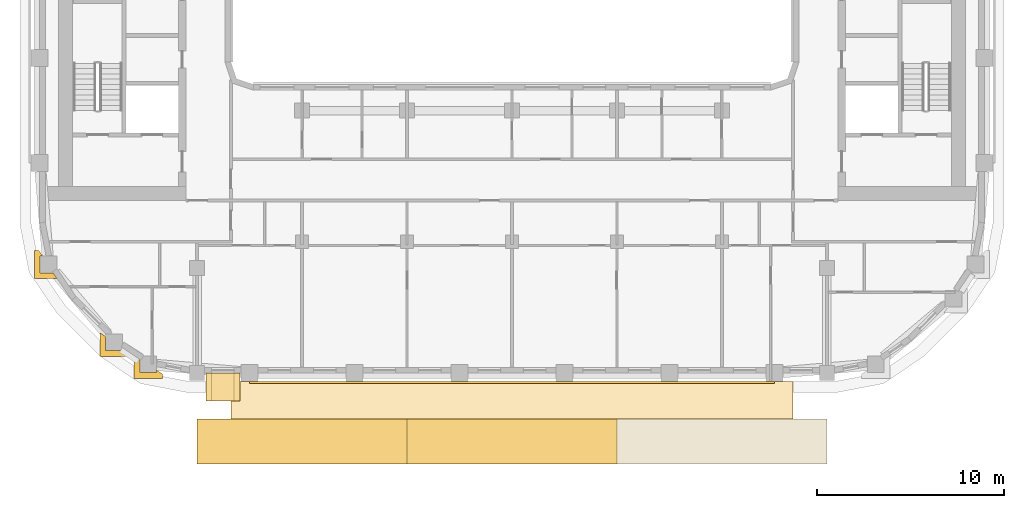
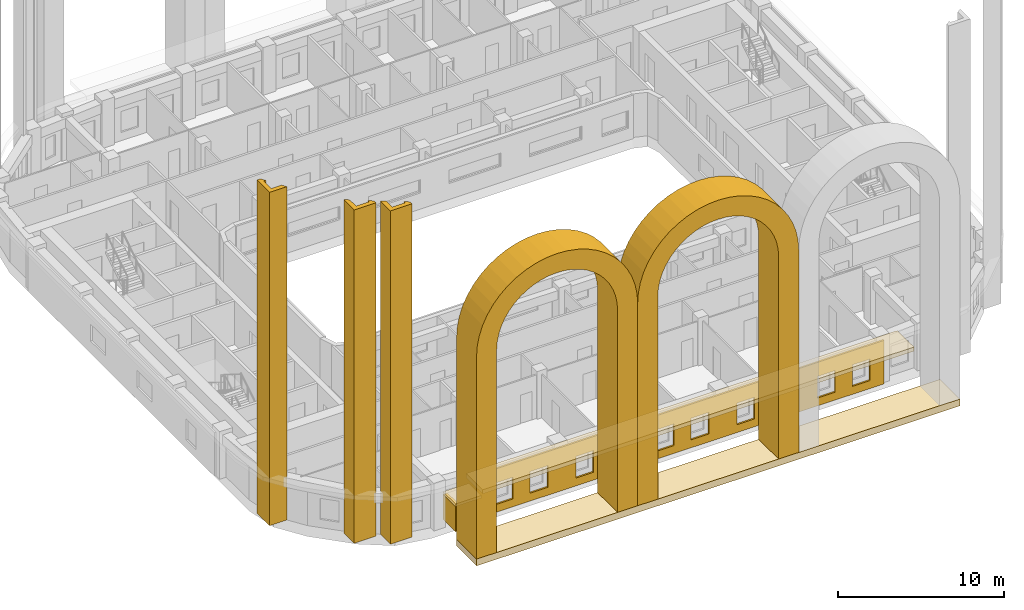
# One storey, part 11 of 20: 10 coverings.
"""IFC4 building model written with IfcOpenShell, lengths in metres."""

from ifc_helpers import new_model, si_unit, direction, frame, origin, origin_2d, place, context, subcontext, project, spatial, polyline, rectangle, outline, extrude, material, layer, layer_set, type_object, element, save


model = new_model("IFC4")

# Units and contexts
model_context = context("Model", 3, precision=1e-05, world=origin(), true_north=direction((0.0, 1.0)))
body_context = subcontext(model_context, "Body", "Model", "MODEL_VIEW")
ifc_project = project(units=[si_unit("LENGTHUNIT", "METRE"), si_unit("AREAUNIT", "SQUARE_METRE"), si_unit("VOLUMEUNIT", "CUBIC_METRE"), si_unit("PLANEANGLEUNIT", "RADIAN"), si_unit("MASSUNIT", "GRAM", prefix="KILO")], contexts=[model_context])

# Site, building, storey
site_placement = place(None, origin())
site = spatial("IfcSite", under=ifc_project, at=site_placement, CompositionType="ELEMENT")
building_placement = place(site_placement, origin())
building = spatial("IfcBuilding", under=site, at=building_placement, Name="Kiln Ring Residences", CompositionType="ELEMENT")
storey_placement = place(building_placement, frame((0.0, 0.0, 188.89990234375)))
storey = spatial("IfcBuildingStorey", under=building, at=storey_placement, Name="L48", CompositionType="ELEMENT", Elevation=188.89990234375)

# Coverings
ifc_material_1 = material(Name="Brick masonry, dark clay brick", Category="masonry")
ifc_layer_1 = layer(ifc_material_1, 0.5)
ifc_layer_set_1 = layer_set([ifc_layer_1], Name="ARCADE PLINTH 500")
covering_type_1 = type_object("IfcCoveringType", Name="ARCADE PLINTH 500", PredefinedType="CLADDING", material=ifc_layer_set_1)
placement = place(storey_placement, origin())
element("IfcCovering", 1, at=placement, inside=storey, type_object=covering_type_1, Name="ARCADE PLINTH Z4 S", PredefinedType="CLADDING", context=body_context, shape_type="SweptSolid", body=[
    extrude(outline(polyline([(-16.800048828125, -27.25), (16.800048828125, -27.25), (16.800048828125, -24.85009765625), (-16.800048828125, -24.85009765625), (-16.800048828125, -27.25)])), origin(), (0.0, 0.0, 1.0), 0.5),
])
ifc_material_2 = material(Name="Brick masonry, dark clay brick", Category="masonry")
ifc_layer_2 = layer(ifc_material_2, 1.39990234375)
ifc_layer_set_2 = layer_set([ifc_layer_2], Name="ARCH SURROUND 2400")
covering_type_2 = type_object("IfcCoveringType", Name="ARCH SURROUND 2400", PredefinedType="CLADDING", material=ifc_layer_set_2)
covering_2_placement = place(storey_placement, frame((-5.60009765625, -26.050048828125, 0.5), z_axis=(0.0, 0.0, 1.0), x_axis=(-1.0, 0.0, 0.0)))
element("IfcCovering", 2, at=covering_2_placement, inside=storey, type_object=covering_type_2, Name="ARCH SURROUND Z4 S1.1", PredefinedType="CLADDING", context=body_context, shape_type="SweptSolid", body=[
    extrude(outline(polyline([(11.199951171875, 0.0), (11.199951171875, 14.900146484375), (11.152099609375, 15.631103515625), (11.00927734375, 16.349609375), (10.773681640625, 17.043212890625), (10.44970703125, 17.7001953125), (10.042724609375, 18.30908203125), (9.559814453125, 18.85986328125), (9.009033203125, 19.343017578125), (8.39990234375, 19.749755859375), (7.742919921875, 20.07373046875), (7.04931640625, 20.309326171875), (6.330810546875, 20.4521484375), (5.60009765625, 20.5), (4.869140625, 20.4521484375), (4.150634765625, 20.309326171875), (3.45703125, 20.07373046875), (2.800048828125, 19.749755859375), (2.19091796875, 19.343017578125), (1.64013671875, 18.85986328125), (1.1572265625, 18.30908203125), (0.750244140625, 17.7001953125), (0.42626953125, 17.043212890625), (0.19091796875, 16.349609375), (0.0478515625, 15.631103515625), (0.0, 14.900146484375), (0.0, 0.0), (1.39990234375, 0.0), (1.39990234375, 14.900146484375), (1.435791015625, 15.4482421875), (1.543212890625, 15.987060546875), (1.7197265625, 16.50732421875), (1.962646484375, 17.0), (2.267822265625, 17.456787109375), (2.630126953125, 17.869873046875), (3.043212890625, 18.232177734375), (3.5, 18.537353515625), (3.99267578125, 18.780517578125), (4.512939453125, 18.95703125), (5.0517578125, 19.064208984375), (5.60009765625, 19.10009765625), (6.148193359375, 19.064208984375), (6.68701171875, 18.95703125), (7.207275390625, 18.780517578125), (7.699951171875, 18.537353515625), (8.15673828125, 18.232177734375), (8.56982421875, 17.869873046875), (8.93212890625, 17.456787109375), (9.2373046875, 17.0), (9.480224609375, 16.50732421875), (9.656982421875, 15.987060546875), (9.76416015625, 15.4482421875), (9.800048828125, 14.900146484375), (9.800048828125, 0.0), (11.199951171875, 0.0)])), frame((0.0, 1.199951171875, 0.0), z_axis=(0.0, -1.0, 0.0), x_axis=(1.0, 0.0, 0.0)), (0.0, 0.0, 1.0), 2.39990234375),
])
covering_3_placement = place(storey_placement, frame((5.60009765625, -26.050048828125, 0.5), z_axis=(0.0, 0.0, 1.0), x_axis=(-1.0, 0.0, 0.0)))
element("IfcCovering", 3, at=covering_3_placement, inside=storey, type_object=covering_type_2, Name="ARCH SURROUND Z4 S1.2", PredefinedType="CLADDING", context=body_context, shape_type="SweptSolid", body=[
    extrude(outline(polyline([(11.199951171875, 0.0), (11.199951171875, 14.900146484375), (11.152099609375, 15.631103515625), (11.00927734375, 16.349609375), (10.773681640625, 17.043212890625), (10.44970703125, 17.7001953125), (10.042724609375, 18.30908203125), (9.559814453125, 18.85986328125), (9.009033203125, 19.343017578125), (8.39990234375, 19.749755859375), (7.742919921875, 20.07373046875), (7.04931640625, 20.309326171875), (6.330810546875, 20.4521484375), (5.60009765625, 20.5), (4.869140625, 20.4521484375), (4.150634765625, 20.309326171875), (3.45703125, 20.07373046875), (2.800048828125, 19.749755859375), (2.19091796875, 19.343017578125), (1.64013671875, 18.85986328125), (1.1572265625, 18.30908203125), (0.750244140625, 17.7001953125), (0.42626953125, 17.043212890625), (0.19091796875, 16.349609375), (0.0478515625, 15.631103515625), (0.0, 14.900146484375), (0.0, 0.0), (1.39990234375, 0.0), (1.39990234375, 14.900146484375), (1.435791015625, 15.4482421875), (1.543212890625, 15.987060546875), (1.7197265625, 16.50732421875), (1.962646484375, 17.0), (2.267822265625, 17.456787109375), (2.630126953125, 17.869873046875), (3.043212890625, 18.232177734375), (3.5, 18.537353515625), (3.99267578125, 18.780517578125), (4.512939453125, 18.95703125), (5.0517578125, 19.064208984375), (5.60009765625, 19.10009765625), (6.148193359375, 19.064208984375), (6.68701171875, 18.95703125), (7.207275390625, 18.780517578125), (7.699951171875, 18.537353515625), (8.15673828125, 18.232177734375), (8.56982421875, 17.869873046875), (8.93212890625, 17.456787109375), (9.2373046875, 17.0), (9.480224609375, 16.50732421875), (9.656982421875, 15.987060546875), (9.76416015625, 15.4482421875), (9.800048828125, 14.900146484375), (9.800048828125, 0.0), (11.199951171875, 0.0)])), frame((0.0, 1.199951171875, 0.0), z_axis=(0.0, -1.0, 0.0), x_axis=(1.0, 0.0, 0.0)), (0.0, 0.0, 1.0), 2.39990234375),
])
ifc_material_3 = material(Name="Brick masonry, dark clay brick", Category="masonry")
ifc_layer_3 = layer(ifc_material_3, 0.300048828125)
ifc_layer_set_3 = layer_set([ifc_layer_3], Name="FRAME CHEEKS AND SILL 1500")
covering_type_3 = type_object("IfcCoveringType", Name="FRAME CHEEKS AND SILL 1500", PredefinedType="CLADDING", material=ifc_layer_set_3)
covering_4_placement = place(storey_placement, frame((-16.324951171875, -23.14990234375, 0.300048828125), z_axis=(0.0, 0.0, 1.0), x_axis=(1.0, 0.0, 0.0)))
element("IfcCovering", 4, at=covering_4_placement, inside=storey, type_object=covering_type_3, Name="FRAME L48", PredefinedType="CLADDING", context=body_context, shape_type="SweptSolid", body=[
    extrude(outline(polyline([(0.0, 0.0), (1.800048828125, 0.0), (1.800048828125, 1.85009765625), (1.5009765625, 1.85009765625), (1.5, 0.300048828125), (0.300048828125, 0.300048828125), (0.299072265625, 1.85009765625), (0.0, 1.85009765625), (0.0, 0.0)])), frame((0.0, 0.75, 0.0), z_axis=(0.0, -1.0, 0.0), x_axis=(1.0, 0.0, 0.0)), (0.0, 0.0, 1.0), 1.5),
])
ifc_material_4 = material(Name="Brick masonry, dark clay brick", Category="masonry")
ifc_layer_4 = layer(ifc_material_4, 0.199951171875)
ifc_layer_set_4 = layer_set([ifc_layer_4], Name="FRAME HEAD 1500")
covering_type_4 = type_object("IfcCoveringType", Name="FRAME HEAD 1500", PredefinedType="CLADDING", material=ifc_layer_set_4)
covering_5_placement = place(storey_placement, frame((-15.425048828125, -23.14990234375, 2.14990234375), z_axis=(0.0, 0.0, 1.0), x_axis=(1.0, 0.0, 0.0)))
element("IfcCovering", 5, at=covering_5_placement, inside=storey, type_object=covering_type_4, Name="FRAME HEAD L48", PredefinedType="CLADDING", context=body_context, shape_type="SweptSolid", body=[
    extrude(rectangle(XDim=1.800048828125, YDim=1.5, at=origin_2d()), origin(), (0.0, 0.0, 1.0), 0.199951171875),
])
ifc_material_5 = material(Name="Brick masonry, dark clay brick", Category="masonry")
ifc_layer_5 = layer(ifc_material_5, 0.300048828125)
ifc_layer_set_5 = layer_set([ifc_layer_5], Name="PIER CLADDING 300")
covering_type_5 = type_object("IfcCoveringType", Name="PIER CLADDING 300", PredefinedType="CLADDING", material=ifc_layer_set_5)
element("IfcCovering", 6, at=placement, inside=storey, type_object=covering_type_5, Name="PIER CLADDING L48-L54", PredefinedType="CLADDING", context=body_context, shape_type="SweptSolid", body=[
    extrude(outline(polyline([(-19.858642578125, -22.38818359375), (-19.858642578125, -21.680419921875), (-20.15869140625, -21.4765625), (-20.15869140625, -22.68798828125), (-18.65869140625, -22.68798828125), (-18.65869140625, -22.44775390625), (-18.958740234375, -22.243896484375), (-18.958740234375, -22.38818359375), (-19.858642578125, -22.38818359375)])), origin(), (0.0, 0.0, 1.0), 24.5),
])
element("IfcCovering", 7, at=placement, inside=storey, type_object=covering_type_5, Name="PIER CLADDING L48-L54", PredefinedType="CLADDING", context=body_context, shape_type="SweptSolid", body=[
    extrude(outline(polyline([(-25.247802734375, -15.858642578125), (-25.488037109375, -15.858642578125), (-25.488037109375, -17.358642578125), (-24.276611328125, -17.358642578125), (-24.48046875, -17.05859375), (-25.18798828125, -17.05859375), (-25.18798828125, -16.15869140625), (-25.0439453125, -16.15869140625), (-25.247802734375, -15.858642578125)])), origin(), (0.0, 0.0, 1.0), 24.5),
])
element("IfcCovering", 8, at=placement, inside=storey, type_object=covering_type_5, Name="PIER CLADDING L48-L54", PredefinedType="CLADDING", context=body_context, shape_type="SweptSolid", body=[
    extrude(outline(polyline([(-21.690185546875, -20.4541015625), (-21.990234375, -20.25), (-21.990234375, -21.509765625), (-20.490234375, -21.509765625), (-20.490234375, -21.26953125), (-20.790283203125, -21.065673828125), (-20.790283203125, -21.209716796875), (-21.690185546875, -21.209716796875), (-21.690185546875, -20.4541015625)])), origin(), (0.0, 0.0, 1.0), 24.5),
])
ifc_material_6 = material(Name="Brick masonry, dark clay brick", Category="masonry")
ifc_layer_6 = layer(ifc_material_6, 0.1201171875)
ifc_layer_set_6 = layer_set([ifc_layer_6], Name="RAINSCREEN PANEL 120")
covering_type_6 = type_object("IfcCoveringType", Name="RAINSCREEN PANEL 120", PredefinedType="CLADDING", material=ifc_layer_set_6)
covering_9_placement = place(storey_placement, frame((-14.0, -22.909912109375, 0.0), z_axis=(0.0, 0.0, 1.0), x_axis=(1.0, 0.0, 0.0)))
element("IfcCovering", 9, at=covering_9_placement, inside=storey, type_object=covering_type_6, Name="RAINSCREEN L48", PredefinedType="CLADDING", context=body_context, shape_type="SweptSolid", body=[
    extrude(outline(polyline([(0.0, 0.0), (28.0, 0.0), (28.0, 3.2001953125), (0.0, 3.2001953125), (0.0, 0.0)]), holes=[polyline([(0.967529296875, 0.580078125), (2.20751953125, 0.580078125), (2.20751953125, 2.170166015625), (0.967529296875, 2.170166015625), (0.967529296875, 0.580078125)]), polyline([(3.392578125, 0.580078125), (4.632568359375, 0.580078125), (4.632568359375, 2.170166015625), (3.392578125, 2.170166015625), (3.392578125, 0.580078125)]), polyline([(6.5673828125, 0.580078125), (7.8076171875, 0.580078125), (7.8076171875, 2.170166015625), (6.5673828125, 2.170166015625), (6.5673828125, 0.580078125)]), polyline([(8.992431640625, 2.170166015625), (8.992431640625, 0.580078125), (10.232421875, 0.580078125), (10.232421875, 2.170166015625), (8.992431640625, 2.170166015625)]), polyline([(12.16748046875, 2.170166015625), (12.16748046875, 0.580078125), (13.407470703125, 0.580078125), (13.407470703125, 2.170166015625), (12.16748046875, 2.170166015625)]), polyline([(14.592529296875, 0.580078125), (15.83251953125, 0.580078125), (15.83251953125, 2.170166015625), (14.592529296875, 2.170166015625), (14.592529296875, 0.580078125)]), polyline([(17.767578125, 0.580078125), (19.007568359375, 0.580078125), (19.007568359375, 2.170166015625), (17.767578125, 2.170166015625), (17.767578125, 0.580078125)]), polyline([(20.1923828125, 0.580078125), (21.4326171875, 0.580078125), (21.4326171875, 2.170166015625), (20.1923828125, 2.170166015625), (20.1923828125, 0.580078125)]), polyline([(23.367431640625, 2.170166015625), (23.367431640625, 0.580078125), (24.607421875, 0.580078125), (24.607421875, 2.170166015625), (23.367431640625, 2.170166015625)]), polyline([(25.79248046875, 2.170166015625), (25.79248046875, 0.580078125), (27.032470703125, 0.580078125), (27.032470703125, 2.170166015625), (25.79248046875, 2.170166015625)])]), frame((0.0, 0.06005859375, 0.0), z_axis=(0.0, -1.0, 0.0), x_axis=(1.0, 0.0, 0.0)), (0.0, 0.0, 1.0), 0.1201171875),
])
ifc_material_7 = material(Name="Black powder-coated steel", Category="steel")
ifc_layer_7 = layer(ifc_material_7, 0.300048828125)
ifc_layer_set_7 = layer_set([ifc_layer_7], Name="SUNSHADE BAND 2000")
covering_type_7 = type_object("IfcCoveringType", Name="SUNSHADE BAND 2000", PredefinedType="CLADDING", material=ifc_layer_set_7)
covering_10_placement = place(storey_placement, frame((0.0, 0.0, 3.2001953125)))
element("IfcCovering", 10, at=covering_10_placement, inside=storey, type_object=covering_type_7, Name="SUNSHADE BAND L48", PredefinedType="CLADDING", context=body_context, shape_type="SweptSolid", body=[
    extrude(outline(polyline([(-15.0, -24.85009765625), (15.0, -24.85009765625), (15.0, -22.85009765625), (-15.0, -22.85009765625), (-15.0, -24.85009765625)])), origin(), (0.0, 0.0, 1.0), 0.2998046875),
])

save(model, "model.ifc")
